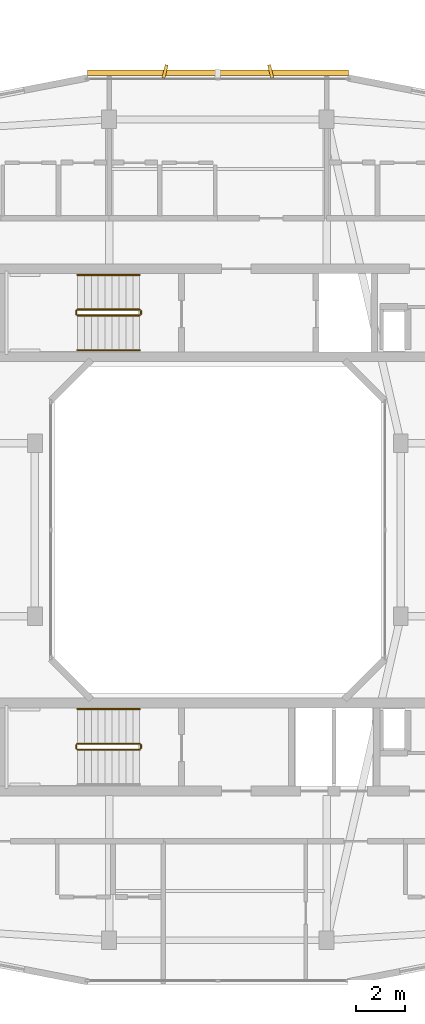
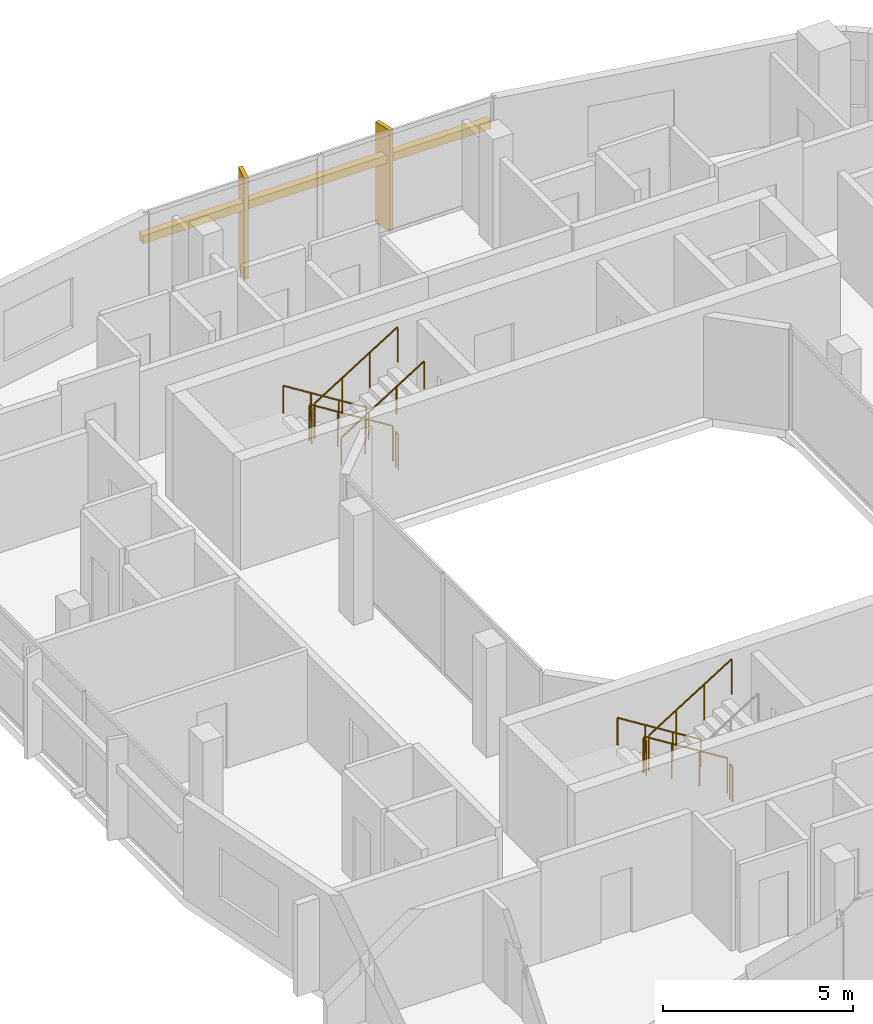
# One storey, part 26 of 26: 11 railings, 3 shading devices.
"""IFC4 building model written with IfcOpenShell, lengths in metres."""

import ifcopenshell
import ifcopenshell.guid

model = None  # the IFC model being written
_history = None  # IfcOwnerHistory: only IFC2X3 demands one
_inside = {}  # id of a spatial element -> (the spatial element, [elements in it])
_under = {}  # id of a project, library or spatial element -> (it, [spatial elements below it])
_declared = {}  # id of a project -> (the project, [libraries it declares])
_typed = {}  # id of a type object -> (the type object, [elements of that type])
_made_of = {}  # id of a material, layer set ... -> (it, [elements and type objects made of it])


def new_model(schema):
    """Start an empty IFC model of exactly this schema.

    Asked for "IFC4X3", IfcOpenShell would pick the latest addendum, in which some entities
    have other attributes; the version numbers below select the first issue.
    IFC2X3 requires an IfcOwnerHistory on every rooted entity: one is made here for all.
    """
    global model, _history
    if schema == "IFC4X3":
        model = ifcopenshell.file(schema_version=(4, 3, 0, 0))
    else:
        model = ifcopenshell.file(schema=schema)
    _inside.clear()
    _under.clear()
    _declared.clear()
    _typed.clear()
    _made_of.clear()
    _history = None
    if model.schema == "IFC2X3":
        org = make("IfcOrganization", Name="unknown")
        user = make(
            "IfcPersonAndOrganization",
            ThePerson=make("IfcPerson", FamilyName="unknown"),
            TheOrganization=org,
        )
        app = make(
            "IfcApplication",
            ApplicationDeveloper=org,
            Version="unknown",
            ApplicationFullName="unknown",
            ApplicationIdentifier="unknown",
        )
        _history = make(
            "IfcOwnerHistory",
            OwningUser=user,
            OwningApplication=app,
            ChangeAction="ADDED",
            CreationDate=0,
        )
    return model


def make(cls, **values):
    """One entity of the class cls with the attributes given. An attribute that is None is left unset."""
    return model.create_entity(
        cls, **{name: value for name, value in values.items() if value is not None}
    )


def rooted(cls, **values):
    """An entity with a GlobalId (a new one), such as an element, a storey or a relation."""
    return make(cls, GlobalId=ifcopenshell.guid.new(), OwnerHistory=_history, **values)


def si_unit(unit_type, name, prefix=None):
    """IfcSIUnit, for example si_unit("LENGTHUNIT", "METRE", prefix="MILLI")."""
    return make("IfcSIUnit", UnitType=unit_type, Prefix=prefix, Name=name)


def derived_unit(unit_type, elements):
    """IfcDerivedUnit: a product of units, each with its exponent."""
    return make(
        "IfcDerivedUnit",
        Elements=[
            make("IfcDerivedUnitElement", Unit=unit, Exponent=power)
            for unit, power in elements
        ],
        UnitType=unit_type,
    )


def assignment(units):
    """IfcUnitAssignment: the units of a project."""
    return None if units is None else make("IfcUnitAssignment", Units=units)


def point(xyz):
    """IfcCartesianPoint."""
    return None if xyz is None else make("IfcCartesianPoint", Coordinates=xyz)


def direction(xyz):
    """IfcDirection."""
    return None if xyz is None else make("IfcDirection", DirectionRatios=xyz)


def frame(location, z_axis=None, x_axis=None):
    """IfcAxis2Placement3D, a coordinate frame: its origin and axes. An axis left out is left unset."""
    return make(
        "IfcAxis2Placement3D",
        Location=point(location),
        Axis=direction(z_axis),
        RefDirection=direction(x_axis),
    )


def frame_2d(location, x_axis=None):
    """IfcAxis2Placement2D, a coordinate frame in the plane: its origin and x axis."""
    return make(
        "IfcAxis2Placement2D", Location=point(location), RefDirection=direction(x_axis)
    )


def origin():
    """The frame at (0, 0, 0) with its axes left unset."""
    return frame((0.0, 0.0, 0.0))


def origin_2d():
    """The frame at (0, 0) in the plane with its x axis left unset."""
    return frame_2d((0.0, 0.0))


def place(relative_to, where):
    """IfcLocalPlacement: puts the frame where relative to a parent placement (None: the world)."""
    return make(
        "IfcLocalPlacement", PlacementRelTo=relative_to, RelativePlacement=where
    )


def context(
    kind, dimensions, precision=None, world=None, true_north=None, identifier=None
):
    """IfcGeometricRepresentationContext, for example the 3D "Model" context."""
    return make(
        "IfcGeometricRepresentationContext",
        ContextIdentifier=identifier,
        ContextType=kind,
        CoordinateSpaceDimension=dimensions,
        Precision=precision,
        WorldCoordinateSystem=world,
        TrueNorth=true_north,
    )


def subcontext(parent, identifier, kind, view, scale=None):
    """IfcGeometricRepresentationSubContext, for example "Body" below "Model"."""
    return make(
        "IfcGeometricRepresentationSubContext",
        ContextIdentifier=identifier,
        ContextType=kind,
        ParentContext=parent,
        TargetScale=scale,
        TargetView=view,
    )


def project(units=None, contexts=None):
    """IfcProject with its units and contexts."""
    return rooted(
        "IfcProject",
        Name="project",
        RepresentationContexts=contexts,
        UnitsInContext=assignment(units),
    )


def spatial(cls, under=None, at=None, **own):
    """A site, building, storey or space (cls), placed at a placement, below another one or the project."""
    s = rooted(cls, ObjectPlacement=at, **own)
    if under is not None:
        _under.setdefault(under.id(), (under, []))[1].append(s)
    return s


def profile(cls, at=None, kind="AREA", **sizes):
    """A parametric profile (cls). Its sizes go by their IFC names, for example OverallWidth=200.0."""
    return make(cls, ProfileType=kind, Position=at, **sizes)


def rectangle(**sizes):
    """IfcRectangleProfileDef."""
    return profile("IfcRectangleProfileDef", **sizes)


def circle(**sizes):
    """IfcCircleProfileDef."""
    return profile("IfcCircleProfileDef", **sizes)


def extrude(swept, where, along, depth):
    """IfcExtrudedAreaSolid: the profile swept, set in the frame where, extruded along a direction by depth."""
    return make(
        "IfcExtrudedAreaSolid",
        SweptArea=swept,
        Position=where,
        ExtrudedDirection=direction(along),
        Depth=depth,
    )


def shape(context_of_items, identifier, shape_type, items):
    """IfcShapeRepresentation: the items that make up one representation, for example the "Body"."""
    return make(
        "IfcShapeRepresentation",
        ContextOfItems=context_of_items,
        RepresentationIdentifier=identifier,
        RepresentationType=shape_type,
        Items=items,
    )


def material(Name=None, Category=None):
    """IfcMaterial."""
    return make("IfcMaterial", Name=Name, Category=Category)


def made_of(thing, what):
    """Note that an element or type object is made of a material, layer set ...; save() writes the relation."""
    if what is not None:
        _made_of.setdefault(what.id(), (what, []))[1].append(thing)
    return thing


def type_object(cls, material=None, **own):
    """A type object (cls), such as IfcWallType, which elements share."""
    return made_of(rooted(cls, **own), material)


def element(
    cls,
    number,
    at=None,
    inside=None,
    cuts=None,
    type_object=None,
    material=None,
    context=None,
    identifier="Body",
    shape_type=None,
    held_by="IfcProductDefinitionShape",
    body=None,
    shapes=None,
    **own,
):
    """One element of the class cls, such as IfcWall. Its Tag is "e" and its number.

    at: its placement. inside: the storey or other place that contains it. cuts: it is an
    opening in that element (IfcRelVoidsElement). A single representation is given by context,
    identifier, shape_type and body (its items); several are given by shapes. held_by: the class
    of the entity that holds the representations. save() writes the other relations.
    """
    e = rooted(cls, Tag="e%d" % number, ObjectPlacement=at, **own)
    if body is not None:
        shapes = [shape(context, identifier, shape_type, body)]
    if shapes is not None:
        e.Representation = make(held_by, Representations=shapes)
    if inside is not None:
        _inside.setdefault(inside.id(), (inside, []))[1].append(e)
    if cuts is not None:
        rooted(
            "IfcRelVoidsElement", RelatingBuildingElement=cuts, RelatedOpeningElement=e
        )
    if type_object is not None:
        _typed.setdefault(type_object.id(), (type_object, []))[1].append(e)
    return made_of(e, material)


def aggregate(whole, parts):
    """IfcRelAggregates: a whole, such as a stair, and the parts it consists of."""
    return rooted("IfcRelAggregates", RelatingObject=whole, RelatedObjects=parts)


def save(model, path):
    """Write the relations noted so far, then the file.

    IfcRelAggregates (storeys below a building ...), IfcRelContainedInSpatialStructure (elements
    in a storey), IfcRelDefinesByType, IfcRelAssociatesMaterial and IfcRelDeclares: one each for
    every whole, place, type object, material and project.
    """
    for whole, parts in _under.values():
        aggregate(whole, parts)
    for where, things in _inside.values():
        rooted(
            "IfcRelContainedInSpatialStructure",
            RelatedElements=things,
            RelatingStructure=where,
        )
    for kind, things in _typed.values():
        rooted("IfcRelDefinesByType", RelatedObjects=things, RelatingType=kind)
    for what, things in _made_of.values():
        rooted("IfcRelAssociatesMaterial", RelatedObjects=things, RelatingMaterial=what)
    for by, libraries in _declared.values():
        rooted("IfcRelDeclares", RelatingContext=by, RelatedDefinitions=libraries)
    model.write(path)


model = new_model("IFC4")

# Units and contexts
model_context = context("Model", 3, precision=1e-05, world=origin(), true_north=direction((0.0, 1.0)))
body_context = subcontext(model_context, "Body", "Model", "MODEL_VIEW")
ifc_project = project(units=[si_unit("LENGTHUNIT", "METRE"), si_unit("AREAUNIT", "SQUARE_METRE"), si_unit("VOLUMEUNIT", "CUBIC_METRE"), si_unit("PLANEANGLEUNIT", "RADIAN"), si_unit("MASSUNIT", "GRAM", prefix="KILO"), derived_unit("THERMALTRANSMITTANCEUNIT", [(si_unit("POWERUNIT", "WATT"), 1), (si_unit("LENGTHUNIT", "METRE"), -2), (si_unit("THERMODYNAMICTEMPERATUREUNIT", "KELVIN"), -1)])], contexts=[model_context])

# Site, building, storey
site_placement = place(None, origin())
site = spatial("IfcSite", under=ifc_project, at=site_placement, CompositionType="ELEMENT")
building_placement = place(site_placement, origin())
building = spatial("IfcBuilding", under=site, at=building_placement, Name="Kivonza Crest Hotel", CompositionType="ELEMENT")
storey_placement = place(building_placement, frame((0.0, 0.0, 102.0)))
storey = spatial("IfcBuildingStorey", under=building, at=storey_placement, Name="L27", CompositionType="ELEMENT", Elevation=102.0)

# Railings
ifc_material_1 = material(Name="Brushed stainless steel handrail", Category="steel")
railing_type_1 = type_object("IfcRailingType", Name="RL-HAND-900", PredefinedType="HANDRAIL", material=ifc_material_1)
railing_1_placement = place(storey_placement, frame((73.840087890625, 35.31005859375, 0.175048828125)))
element("IfcRailing", 1, at=railing_1_placement, inside=storey, type_object=railing_type_1, Name="L27 ST-T2-N stair handrail 1", PredefinedType="HANDRAIL", context=body_context, shape_type="SweptSolid", body=[
    extrude(circle(Radius=0.02392578125, at=origin_2d()), frame((0.0, 0.0, 0.8759765625), z_axis=(-0.848007534815, 0.0, 0.529984170421), x_axis=(0.0, -1.0, 0.0)), (0.0, 0.0, 1.0), 2.9716796875),
    extrude(circle(Radius=0.02099609375, at=origin_2d()), origin(), (0.0, 0.0, 1.0), 0.851806640625),
    extrude(circle(Radius=0.02099609375, at=origin_2d()), frame((-0.840087890625, 0.0, 0.52490234375)), (0.0, 0.0, 1.0), 0.851806640625),
    extrude(circle(Radius=0.02099609375, at=origin_2d()), frame((-1.679931640625, 0.0, 1.050048828125)), (0.0, 0.0, 1.0), 0.851806640625),
    extrude(circle(Radius=0.02099609375, at=origin_2d()), frame((-2.52001953125, 0.0, 1.574951171875)), (0.0, 0.0, 1.0), 0.851806640625),
])
railing_2_placement = place(storey_placement, frame((71.320068359375, 32.27001953125, 1.925048828125)))
element("IfcRailing", 2, at=railing_2_placement, inside=storey, type_object=railing_type_1, Name="L27 ST-T2-N stair handrail 2", PredefinedType="HANDRAIL", context=body_context, shape_type="SweptSolid", body=[
    extrude(circle(Radius=0.02392578125, at=origin_2d()), frame((0.0, 0.0, 0.8759765625), z_axis=(0.848007534815, 0.0, 0.529984170421), x_axis=(0.0, 1.0, 0.0)), (0.0, 0.0, 1.0), 2.9716796875),
    extrude(circle(Radius=0.02099609375, at=origin_2d()), origin(), (0.0, 0.0, 1.0), 0.851806640625),
    extrude(circle(Radius=0.02099609375, at=origin_2d()), frame((0.840087890625, 0.0, 0.52490234375)), (0.0, 0.0, 1.0), 0.851806640625),
    extrude(circle(Radius=0.02099609375, at=origin_2d()), frame((1.679931640625, 0.0, 1.050048828125)), (0.0, 0.0, 1.0), 0.851806640625),
    extrude(circle(Radius=0.02099609375, at=origin_2d()), frame((2.52001953125, 0.0, 1.574951171875)), (0.0, 0.0, 1.0), 0.851806640625),
])
railing_3_placement = place(storey_placement, frame((73.840087890625, 17.75, 0.175048828125)))
element("IfcRailing", 3, at=railing_3_placement, inside=storey, type_object=railing_type_1, Name="L27 ST-T2-S stair handrail 1", PredefinedType="HANDRAIL", context=body_context, shape_type="SweptSolid", body=[
    extrude(circle(Radius=0.02392578125, at=origin_2d()), frame((0.0, 0.0, 0.8759765625), z_axis=(-0.848007534815, 0.0, 0.529984170421), x_axis=(0.0, -1.0, 0.0)), (0.0, 0.0, 1.0), 2.9716796875),
    extrude(circle(Radius=0.02099609375, at=origin_2d()), origin(), (0.0, 0.0, 1.0), 0.851806640625),
    extrude(circle(Radius=0.02099609375, at=origin_2d()), frame((-0.840087890625, 0.0, 0.52490234375)), (0.0, 0.0, 1.0), 0.851806640625),
    extrude(circle(Radius=0.02099609375, at=origin_2d()), frame((-1.679931640625, 0.0, 1.050048828125)), (0.0, 0.0, 1.0), 0.851806640625),
    extrude(circle(Radius=0.02099609375, at=origin_2d()), frame((-2.52001953125, 0.0, 1.574951171875)), (0.0, 0.0, 1.0), 0.851806640625),
])
ifc_material_2 = material(Name="Painted steel balustrade", Category="steel")
railing_type_2 = type_object("IfcRailingType", Name="RL-STAIR-1150", PredefinedType="BALUSTRADE", material=ifc_material_2)
railing_4_placement = place(storey_placement, frame((73.840087890625, 33.909912109375, 0.175048828125)))
element("IfcRailing", 4, at=railing_4_placement, inside=storey, type_object=railing_type_2, Name="L27 ST-T2-N stair guard 1", PredefinedType="BALUSTRADE", context=body_context, shape_type="SweptSolid", body=[
    extrude(circle(Radius=0.02392578125, at=origin_2d()), frame((0.0, 0.0, 1.1259765625), z_axis=(-0.848007534815, 0.0, 0.529984170421), x_axis=(0.0, -1.0, 0.0)), (0.0, 0.0, 1.0), 2.9716796875),
    extrude(circle(Radius=0.02099609375, at=origin_2d()), origin(), (0.0, 0.0, 1.0), 1.101806640625),
    extrude(circle(Radius=0.02099609375, at=origin_2d()), frame((-0.840087890625, 0.0, 0.52490234375)), (0.0, 0.0, 1.0), 1.101806640625),
    extrude(circle(Radius=0.02099609375, at=origin_2d()), frame((-1.679931640625, 0.0, 1.050048828125)), (0.0, 0.0, 1.0), 1.101806640625),
    extrude(circle(Radius=0.02099609375, at=origin_2d()), frame((-2.52001953125, 0.0, 1.574951171875)), (0.0, 0.0, 1.0), 1.101806640625),
])
railing_5_placement = place(storey_placement, frame((71.27001953125, 33.860107421875, 1.75)))
element("IfcRailing", 5, at=railing_5_placement, inside=storey, type_object=railing_type_2, Name="L27 ST-T2-N stair guard 2", PredefinedType="BALUSTRADE", context=body_context, shape_type="SweptSolid", body=[
    extrude(circle(Radius=0.02392578125, at=origin_2d()), frame((0.0, 0.0, 1.1259765625), z_axis=(0.0, -1.0, 0.0), x_axis=(1.0, 0.0, 0.0)), (0.0, 0.0, 1.0), 0.14013671875),
    extrude(circle(Radius=0.02099609375, at=origin_2d()), origin(), (0.0, 0.0, 1.0), 1.101806640625),
    extrude(circle(Radius=0.02099609375, at=origin_2d()), frame((0.0, -0.14013671875, 0.0)), (0.0, 0.0, 1.0), 1.101806640625),
])
railing_6_placement = place(storey_placement, frame((71.320068359375, 33.669921875, 1.925048828125)))
element("IfcRailing", 6, at=railing_6_placement, inside=storey, type_object=railing_type_2, Name="L27 ST-T2-N stair guard 3", PredefinedType="BALUSTRADE", context=body_context, shape_type="SweptSolid", body=[
    extrude(circle(Radius=0.02392578125, at=origin_2d()), frame((0.0, 0.0, 1.1259765625), z_axis=(0.848007534815, 0.0, 0.529984170421), x_axis=(0.0, 1.0, 0.0)), (0.0, 0.0, 1.0), 2.9716796875),
    extrude(circle(Radius=0.02099609375, at=origin_2d()), origin(), (0.0, 0.0, 1.0), 1.101806640625),
    extrude(circle(Radius=0.02099609375, at=origin_2d()), frame((0.840087890625, 0.0, 0.52490234375)), (0.0, 0.0, 1.0), 1.101806640625),
    extrude(circle(Radius=0.02099609375, at=origin_2d()), frame((1.679931640625, 0.0, 1.050048828125)), (0.0, 0.0, 1.0), 1.101806640625),
    extrude(circle(Radius=0.02099609375, at=origin_2d()), frame((2.52001953125, 0.0, 1.574951171875)), (0.0, 0.0, 1.0), 1.101806640625),
])
railing_7_placement = place(storey_placement, frame((73.889892578125, 33.860107421875, 0.0)))
element("IfcRailing", 7, at=railing_7_placement, inside=storey, type_object=railing_type_2, Name="L27 ST-T2-N stair guard 4", PredefinedType="BALUSTRADE", context=body_context, shape_type="SweptSolid", body=[
    extrude(circle(Radius=0.02392578125, at=origin_2d()), frame((0.0, 0.0, 1.1259765625), z_axis=(0.0, -1.0, 0.0), x_axis=(1.0, 0.0, 0.0)), (0.0, 0.0, 1.0), 0.14013671875),
    extrude(circle(Radius=0.02099609375, at=origin_2d()), origin(), (0.0, 0.0, 1.0), 1.101806640625),
    extrude(circle(Radius=0.02099609375, at=origin_2d()), frame((0.0, -0.14013671875, 0.0)), (0.0, 0.0, 1.0), 1.101806640625),
])
railing_8_placement = place(storey_placement, frame((73.840087890625, 16.35009765625, 0.175048828125)))
element("IfcRailing", 8, at=railing_8_placement, inside=storey, type_object=railing_type_2, Name="L27 ST-T2-S stair guard 1", PredefinedType="BALUSTRADE", context=body_context, shape_type="SweptSolid", body=[
    extrude(circle(Radius=0.02392578125, at=origin_2d()), frame((0.0, 0.0, 1.1259765625), z_axis=(-0.848007534815, 0.0, 0.529984170421), x_axis=(0.0, -1.0, 0.0)), (0.0, 0.0, 1.0), 2.9716796875),
    extrude(circle(Radius=0.02099609375, at=origin_2d()), origin(), (0.0, 0.0, 1.0), 1.101806640625),
    extrude(circle(Radius=0.02099609375, at=origin_2d()), frame((-0.840087890625, 0.0, 0.52490234375)), (0.0, 0.0, 1.0), 1.101806640625),
    extrude(circle(Radius=0.02099609375, at=origin_2d()), frame((-1.679931640625, 0.0, 1.050048828125)), (0.0, 0.0, 1.0), 1.101806640625),
    extrude(circle(Radius=0.02099609375, at=origin_2d()), frame((-2.52001953125, 0.0, 1.574951171875)), (0.0, 0.0, 1.0), 1.101806640625),
])
railing_9_placement = place(storey_placement, frame((71.27001953125, 16.300048828125, 1.75)))
element("IfcRailing", 9, at=railing_9_placement, inside=storey, type_object=railing_type_2, Name="L27 ST-T2-S stair guard 2", PredefinedType="BALUSTRADE", context=body_context, shape_type="SweptSolid", body=[
    extrude(circle(Radius=0.02392578125, at=origin_2d()), frame((0.0, 0.0, 1.1259765625), z_axis=(0.0, -1.0, 0.0), x_axis=(1.0, 0.0, 0.0)), (0.0, 0.0, 1.0), 0.14013671875),
    extrude(circle(Radius=0.02099609375, at=origin_2d()), origin(), (0.0, 0.0, 1.0), 1.101806640625),
    extrude(circle(Radius=0.02099609375, at=origin_2d()), frame((0.0, -0.14013671875, 0.0)), (0.0, 0.0, 1.0), 1.101806640625),
])
railing_10_placement = place(storey_placement, frame((71.320068359375, 16.110107421875, 1.925048828125)))
element("IfcRailing", 10, at=railing_10_placement, inside=storey, type_object=railing_type_2, Name="L27 ST-T2-S stair guard 3", PredefinedType="BALUSTRADE", context=body_context, shape_type="SweptSolid", body=[
    extrude(circle(Radius=0.02392578125, at=origin_2d()), frame((0.0, 0.0, 1.1259765625), z_axis=(0.848007534815, 0.0, 0.529984170421), x_axis=(0.0, 1.0, 0.0)), (0.0, 0.0, 1.0), 2.9716796875),
    extrude(circle(Radius=0.02099609375, at=origin_2d()), origin(), (0.0, 0.0, 1.0), 1.101806640625),
    extrude(circle(Radius=0.02099609375, at=origin_2d()), frame((0.840087890625, 0.0, 0.52490234375)), (0.0, 0.0, 1.0), 1.101806640625),
    extrude(circle(Radius=0.02099609375, at=origin_2d()), frame((1.679931640625, 0.0, 1.050048828125)), (0.0, 0.0, 1.0), 1.101806640625),
    extrude(circle(Radius=0.02099609375, at=origin_2d()), frame((2.52001953125, 0.0, 1.574951171875)), (0.0, 0.0, 1.0), 1.101806640625),
])
railing_11_placement = place(storey_placement, frame((73.889892578125, 16.300048828125, 0.0)))
element("IfcRailing", 11, at=railing_11_placement, inside=storey, type_object=railing_type_2, Name="L27 ST-T2-S stair guard 4", PredefinedType="BALUSTRADE", context=body_context, shape_type="SweptSolid", body=[
    extrude(circle(Radius=0.02392578125, at=origin_2d()), frame((0.0, 0.0, 1.1259765625), z_axis=(0.0, -1.0, 0.0), x_axis=(1.0, 0.0, 0.0)), (0.0, 0.0, 1.0), 0.14013671875),
    extrude(circle(Radius=0.02099609375, at=origin_2d()), origin(), (0.0, 0.0, 1.0), 1.101806640625),
    extrude(circle(Radius=0.02099609375, at=origin_2d()), frame((0.0, -0.14013671875, 0.0)), (0.0, 0.0, 1.0), 1.101806640625),
])

# Shading devices
ifc_material_3 = material(Name="Kiln-fired Nairobi red-ochre terracotta", Category="masonry")
shading_device_type_1 = type_object("IfcShadingDeviceType", Name="SH-BAGUETTE-300", PredefinedType="USERDEFINED", material=ifc_material_3)
shading_device_placement = place(storey_placement, frame((77.0, 43.47998046875, 2.14501953125), z_axis=(0.0, 0.0, 1.0), x_axis=(-1.0, 0.0, 0.0)))
element("IfcShadingDevice", 12, at=shading_device_placement, inside=storey, type_object=shading_device_type_1, Name="L27 terracotta baguette screen CW-T2-L27-26", ObjectType="BAGUETTE", PredefinedType="USERDEFINED", context=body_context, shape_type="SweptSolid", body=[
    extrude(rectangle(XDim=10.56005859375, YDim=0.219970703125, at=origin_2d()), origin(), (0.0, 0.0, 1.0), 0.260009765625),
])
ifc_material_4 = material(Name="Kiln-fired terracotta over extruded aluminium spine", Category="masonry")
shading_device_type_2 = type_object("IfcShadingDeviceType", Name="SH-FIN-550", PredefinedType="USERDEFINED", material=ifc_material_4)
for number, where, z_axis, x_axis, name in (
    (13, (79.135986328125, 43.5400390625, 0.0), (0.0, 0.0, 1.0), (-0.970295726276, -0.2419218956, 0.0), "L27 vertical solar shading fin CW-T2-L27-26-1"),
    (14, (74.864013671875, 43.5400390625, 0.0), (0.0, 0.0, 1.0), (-0.970295726276, 0.2419218956, 0.0), "L27 vertical solar shading fin CW-T2-L27-26-2"),
):
    element("IfcShadingDevice", number, at=place(storey_placement, frame(where, z_axis=z_axis, x_axis=x_axis)), inside=storey, type_object=shading_device_type_2, Name=name, ObjectType="FIN", PredefinedType="USERDEFINED", context=body_context, shape_type="SweptSolid", body=[
        extrude(rectangle(XDim=0.1201171875, YDim=0.550048828125, at=origin_2d()), origin(), (0.0, 0.0, 1.0), 3.25),
    ])

save(model, "model.ifc")
